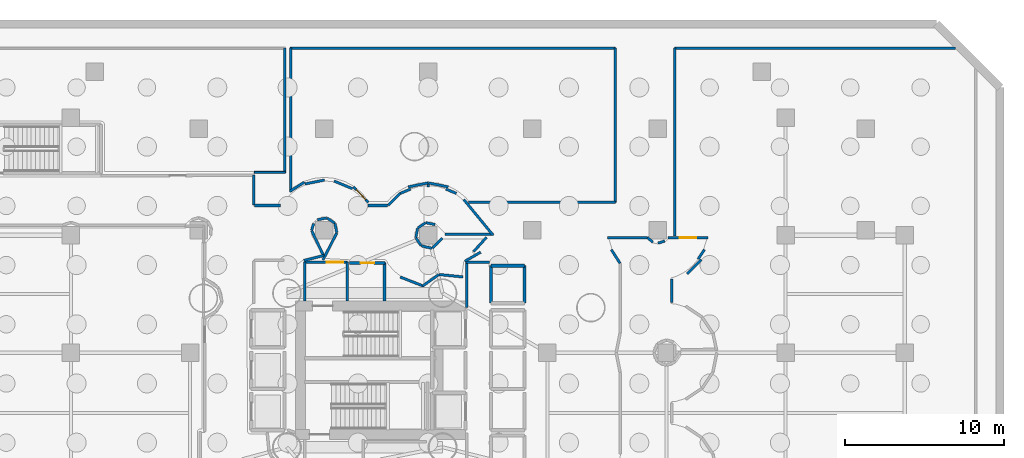
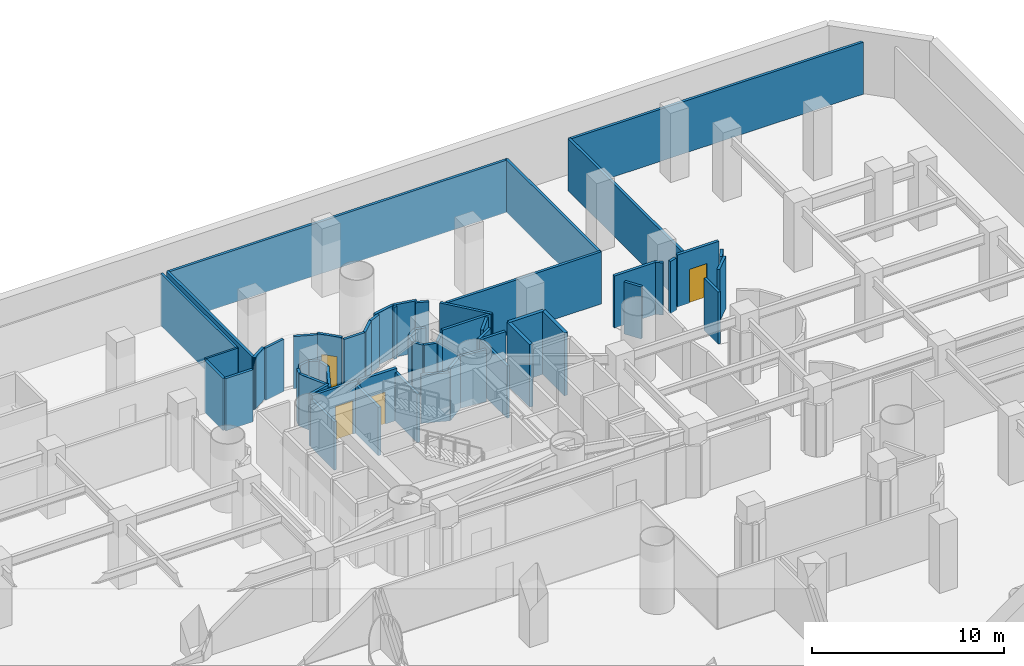
# One storey, part 6 of 13: 59 walls, 4 doors, 4 openings.
"""IFC4 building model written with IfcOpenShell, lengths in metres."""

from ifc_helpers import new_model, si_unit, direction, frame, frame_2d, origin, place, context, subcontext, project, spatial, rectangle, extrude, material, layer, layer_set, type_object, element, fill, save


model = new_model("IFC4")

# Units and contexts
model_context = context("Model", 3, precision=1e-05, world=origin(), true_north=direction((0.0, 1.0)))
body_context = subcontext(model_context, "Body", "Model", "MODEL_VIEW")
ifc_project = project(units=[si_unit("LENGTHUNIT", "METRE"), si_unit("AREAUNIT", "SQUARE_METRE"), si_unit("VOLUMEUNIT", "CUBIC_METRE"), si_unit("PLANEANGLEUNIT", "RADIAN"), si_unit("MASSUNIT", "GRAM", prefix="KILO")], contexts=[model_context])

# Site, building, storey
site_placement = place(None, origin())
site = spatial("IfcSite", under=ifc_project, at=site_placement, CompositionType="ELEMENT")
building_placement = place(site_placement, origin())
building = spatial("IfcBuilding", under=site, at=building_placement, Name="Qianvela Tower", CompositionType="ELEMENT")
storey_placement = place(building_placement, frame((0.0, 0.0, -10.0)))
storey = spatial("IfcBuildingStorey", under=building, at=storey_placement, Name="B02", CompositionType="ELEMENT", Elevation=-10.0)

# Wall
ifc_material_1 = material(Name="Fire-Rated Gypsum and Concrete Block", Category="concrete")
ifc_layer_1 = layer(ifc_material_1, 0.159912109375)
ifc_layer_set_1 = layer_set([ifc_layer_1], Name="Fire-Rated Gypsum and Concrete Block")
wall_type_1 = type_object("IfcWallType", Name="WT-CORR-160", PredefinedType="PARTITIONING", material=ifc_layer_set_1)
wall_1_placement = place(storey_placement, frame((29.73095703125, 33.05810546875, 0.0), z_axis=(0.0, 0.0, 1.0), x_axis=(0.0, 1.0, 0.0)))
element("IfcWall", 1, at=wall_1_placement, inside=storey, type_object=wall_type_1, Name="B02 Partition 2", PredefinedType="PARTITIONING", context=body_context, shape_type="SweptSolid", body=[
    extrude(rectangle(XDim=2.4619140625, YDim=0.159912109375, at=frame_2d((1.23095703125, 0.0))), origin(), (0.0, 0.0, 1.0), 3.077880859375),
])

# Wall, opening, door
wall_2_placement = place(storey_placement, frame((29.699951171875, 35.489013671875, 0.0), z_axis=(0.0, 0.0, 1.0), x_axis=(1.0, 0.0, 0.0)))
wall_2 = element("IfcWall", 2, at=wall_2_placement, inside=storey, type_object=wall_type_1, Name="B02 Partition 3", PredefinedType="PARTITIONING", context=body_context, shape_type="SweptSolid", body=[
    extrude(rectangle(XDim=2.719970703125, YDim=0.159912109375, at=frame_2d((1.35986328125, 0.0))), origin(), (0.0, 0.0, 1.0), 3.320068359375),
])
opening_1_placement = place(wall_2_placement, frame((1.39501953125, 0.0, 0.0)))
opening_1 = element("IfcOpeningElement", 3, at=opening_1_placement, cuts=wall_2, Name="Opening D-PL1", PredefinedType="OPENING", context=body_context, shape_type="SweptSolid", body=[
    extrude(rectangle(XDim=1.050048828125, YDim=2.14990234375, at=frame_2d((0.52490234375, 1.074951171875))), frame((0.0, 0.08984375, 0.0), z_axis=(0.0, -1.0, 0.0), x_axis=(1.0, 0.0, 0.0)), (0.0, 0.0, 1.0), 0.179931640625),
])
ifc_material_2 = material(Name="Insulated Steel Fire Door Q355B", Category="steel")
door_type_1 = type_object("IfcDoorType", Name="DT-PLANT-FD90", OperationType="NOTDEFINED", PredefinedType="DOOR", material=ifc_material_2)
door_1_placement = place(opening_1_placement, origin())
door_1 = element("IfcDoor", 4, at=door_1_placement, inside=storey, type_object=door_type_1, Name="B02 Door B02 Firefighting Lobby North to B02 Plant and Bicycle Corridor", OperationType="SINGLE_SWING_LEFT", OverallHeight=2.14990234375, OverallWidth=1.050048828125, PredefinedType="DOOR", context=body_context, shape_type="SweptSolid", body=[
    extrude(rectangle(XDim=1.050048828125, YDim=2.14990234375, at=frame_2d((0.52490234375, 1.074951171875))), frame((0.0, 0.02490234375, 0.0), z_axis=(0.0, -1.0, 0.0), x_axis=(1.0, 0.0, 0.0)), (0.0, 0.0, 1.0), 0.050048828125),
])
fill(opening_1, door_1)

# Walls
wall_3_placement = place(storey_placement, frame((32.388916015625, 35.52001953125, 0.0), z_axis=(0.0, 0.0, 1.0), x_axis=(0.0, -1.0, 0.0)))
element("IfcWall", 5, at=wall_3_placement, inside=storey, type_object=wall_type_1, Name="B02 Partition 4", PredefinedType="PARTITIONING", context=body_context, shape_type="SweptSolid", body=[
    extrude(rectangle(XDim=2.4619140625, YDim=0.159912109375, at=frame_2d((1.23095703125, 0.0))), origin(), (0.0, 0.0, 1.0), 3.077880859375),
])
wall_4_placement = place(storey_placement, frame((39.910888671875, 32.639892578125, 0.0), z_axis=(0.0, 0.0, 1.0), x_axis=(0.0, 1.0, 0.0)))
element("IfcWall", 6, at=wall_4_placement, inside=storey, type_object=wall_type_1, Name="B02 Partition 14", PredefinedType="PARTITIONING", context=body_context, shape_type="SweptSolid", body=[
    extrude(rectangle(XDim=2.880126953125, YDim=0.159912109375, at=frame_2d((1.43994140625, 0.0))), origin(), (0.0, 0.0, 1.0), 3.320068359375),
])
wall_5_placement = place(storey_placement, frame((39.8798828125, 35.489013671875, 0.0), z_axis=(0.0, 0.0, 1.0), x_axis=(1.0, 0.0, 0.0)))
element("IfcWall", 7, at=wall_5_placement, inside=storey, type_object=wall_type_1, Name="B02 Partition 15", PredefinedType="PARTITIONING", context=body_context, shape_type="SweptSolid", body=[
    extrude(rectangle(XDim=1.480224609375, YDim=0.159912109375, at=frame_2d((0.740234375, 0.0))), origin(), (0.0, 0.0, 1.0), 3.320068359375),
])
wall_6_placement = place(storey_placement, frame((26.51904296875, 41.0, 0.0), z_axis=(0.0, 0.0, 1.0), x_axis=(0.0, -1.0, 0.0)))
element("IfcWall", 8, at=wall_6_placement, inside=storey, type_object=wall_type_1, Name="B02 Partition 38", PredefinedType="PARTITIONING", context=body_context, shape_type="SweptSolid", body=[
    extrude(rectangle(XDim=1.89990234375, YDim=0.159912109375, at=frame_2d((0.949951171875, 0.0))), origin(), (0.0, 0.0, 1.0), 3.320068359375),
])
wall_7_placement = place(storey_placement, frame((26.550048828125, 39.069091796875, 0.0), z_axis=(0.0, 0.0, 1.0), x_axis=(1.0, 0.0, 0.0)))
element("IfcWall", 9, at=wall_7_placement, inside=storey, type_object=wall_type_1, Name="B02 Partition 39", PredefinedType="PARTITIONING", context=body_context, shape_type="SweptSolid", body=[
    extrude(rectangle(XDim=1.649658203125, YDim=0.159912109375, at=frame_2d((0.82470703125, 0.0))), origin(), (0.0, 0.0, 1.0), 3.320068359375),
])
for number, where, z_axis, x_axis, name in (
    (10, (29.73681640625, 40.426025390625, 0.0), (0.0, 0.0, 1.0), (0.980775717779, 0.195138390419, 0.0), "B02 Partition 41"),
    (11, (31.56787109375, 40.60986328125, 0.0), (0.0, 0.0, 1.0), (0.923890529664, -0.38265688181, 0.0), "B02 Partition 42"),
):
    element("IfcWall", number, at=place(storey_placement, frame(where, z_axis=z_axis, x_axis=x_axis)), inside=storey, type_object=wall_type_1, Name=name, PredefinedType="PARTITIONING", context=body_context, shape_type="SweptSolid", body=[
        extrude(rectangle(XDim=1.24853515625, YDim=0.159912109375, at=frame_2d((0.624267578125, 0.0))), origin(), (0.0, 0.0, 1.0), 3.320068359375),
    ])
wall_8_placement = place(storey_placement, frame((33.711181640625, 39.069091796875, 0.0), z_axis=(0.0, 0.0, 1.0), x_axis=(1.0, 0.0, 0.0)))
element("IfcWall", 12, at=wall_8_placement, inside=storey, type_object=wall_type_1, Name="B02 Partition 44", PredefinedType="PARTITIONING", context=body_context, shape_type="SweptSolid", body=[
    extrude(rectangle(XDim=1.228515625, YDim=0.159912109375, at=frame_2d((0.6142578125, 0.0))), origin(), (0.0, 0.0, 1.0), 3.320068359375),
])
wall_9_placement = place(storey_placement, frame((34.961181640625, 39.077880859375, 0.0), z_axis=(0.0, 0.0, 1.0), x_axis=(0.717212292906, 0.69685473874, 0.0)))
element("IfcWall", 13, at=wall_9_placement, inside=storey, type_object=wall_type_1, Name="B02 Partition 45", PredefinedType="PARTITIONING", context=body_context, shape_type="SweptSolid", body=[
    extrude(rectangle(XDim=1.09130859375, YDim=0.159912109375, at=frame_2d((0.545654296875, 0.0))), origin(), (0.0, 0.0, 1.0), 3.320068359375),
])
wall_10_placement = place(storey_placement, frame((35.73388671875, 39.83203125, 0.0), z_axis=(0.0, 0.0, 1.0), x_axis=(0.923810617216, 0.382849766253, 0.0)))
element("IfcWall", 14, at=wall_10_placement, inside=storey, type_object=wall_type_1, Name="B02 Partition 46", PredefinedType="PARTITIONING", context=body_context, shape_type="SweptSolid", body=[
    extrude(rectangle(XDim=0.707275390625, YDim=0.159912109375, at=frame_2d((0.353515625, 0.0))), origin(), (0.0, 0.0, 1.0), 3.320068359375),
])
wall_11_placement = place(storey_placement, frame((37.410888671875, 40.3076171875, 0.0), z_axis=(0.0, 0.0, 1.0), x_axis=(1.0, 0.0, 0.0)))
element("IfcWall", 15, at=wall_11_placement, inside=storey, type_object=wall_type_1, Name="B02 Partition 47", PredefinedType="PARTITIONING", context=body_context, shape_type="SweptSolid", body=[
    extrude(rectangle(XDim=0.17822265625, YDim=0.159912109375, at=frame_2d((0.089111328125, 0.0))), origin(), (0.0, 0.0, 1.0), 3.320068359375),
])
wall_12_placement = place(storey_placement, frame((38.61279296875, 40.102783203125, 0.0), z_axis=(0.0, 0.0, 1.0), x_axis=(0.923810617216, -0.382849766253, 0.0)))
element("IfcWall", 16, at=wall_12_placement, inside=storey, type_object=wall_type_1, Name="B02 Partition 48", PredefinedType="PARTITIONING", context=body_context, shape_type="SweptSolid", body=[
    extrude(rectangle(XDim=0.707275390625, YDim=0.159912109375, at=frame_2d((0.353515625, 0.0))), origin(), (0.0, 0.0, 1.0), 3.320068359375),
])
wall_13_placement = place(storey_placement, frame((39.73876953125, 39.443115234375, 0.0), z_axis=(0.0, 0.0, 1.0), x_axis=(0.634417418508, -0.772990646188, 0.0)))
element("IfcWall", 17, at=wall_13_placement, inside=storey, type_object=wall_type_1, Name="B02 Partition 49", PredefinedType="PARTITIONING", context=body_context, shape_type="SweptSolid", body=[
    extrude(rectangle(XDim=2.894775390625, YDim=0.159912109375, at=frame_2d((1.447265625, 0.0))), origin(), (0.0, 0.0, 1.0), 3.320068359375),
])
wall_14_placement = place(storey_placement, frame((41.59912109375, 37.256103515625, 0.0), z_axis=(0.0, 0.0, 1.0), x_axis=(-0.999996924322, -0.002480190788, 0.0)))
element("IfcWall", 18, at=wall_14_placement, inside=storey, type_object=wall_type_1, Name="B02 Partition 50", PredefinedType="PARTITIONING", context=body_context, shape_type="SweptSolid", body=[
    extrude(rectangle(XDim=3.051513671875, YDim=0.159912109375, at=frame_2d((1.52587890625, 0.0))), origin(), (0.0, 0.0, 1.0), 3.320068359375),
])
for number, where, z_axis, x_axis, name in (
    (19, (37.933837890625, 37.87060546875, 0.0), (0.0, 0.0, 1.0), (-0.980787220882, 0.195080566316, 0.0), "B02 Partition 52"),
    (20, (37.33251953125, 37.98095703125, 0.0), (0.0, 0.0, 1.0), (-0.831476219755, -0.555560344141, 0.0), "B02 Partition 53"),
):
    element("IfcWall", number, at=place(storey_placement, frame(where, z_axis=z_axis, x_axis=x_axis)), inside=storey, type_object=wall_type_1, Name=name, PredefinedType="PARTITIONING", context=body_context, shape_type="SweptSolid", body=[
        extrude(rectangle(XDim=0.58935546875, YDim=0.159912109375, at=frame_2d((0.294677734375, 0.0))), origin(), (0.0, 0.0, 1.0), 3.320068359375),
    ])
wall_15_placement = place(storey_placement, frame((36.829345703125, 37.6337890625, 0.0), z_axis=(0.0, 0.0, 1.0), x_axis=(-0.195159844715, -0.980771448917, 0.0)))
element("IfcWall", 21, at=wall_15_placement, inside=storey, type_object=wall_type_1, Name="B02 Partition 54", PredefinedType="PARTITIONING", context=body_context, shape_type="SweptSolid", body=[
    extrude(rectangle(XDim=0.589111328125, YDim=0.159912109375, at=frame_2d((0.29443359375, 0.0))), origin(), (0.0, 0.0, 1.0), 3.320068359375),
])
wall_16_placement = place(storey_placement, frame((36.718994140625, 37.03271484375, 0.0), z_axis=(0.0, 0.0, 1.0), x_axis=(0.555369021078, -0.831604022613, 0.0)))
element("IfcWall", 22, at=wall_16_placement, inside=storey, type_object=wall_type_1, Name="B02 Partition 55", PredefinedType="PARTITIONING", context=body_context, shape_type="SweptSolid", body=[
    extrude(rectangle(XDim=0.589599609375, YDim=0.159912109375, at=frame_2d((0.294921875, 0.0))), origin(), (0.0, 0.0, 1.0), 3.320068359375),
])
wall_17_placement = place(storey_placement, frame((37.065185546875, 36.529541015625, 0.0), z_axis=(0.0, 0.0, 1.0), x_axis=(0.974571578147, -0.224076413457, 0.0)))
element("IfcWall", 23, at=wall_17_placement, inside=storey, type_object=wall_type_1, Name="B02 Partition 56", PredefinedType="PARTITIONING", context=body_context, shape_type="SweptSolid", body=[
    extrude(rectangle(XDim=0.68310546875, YDim=0.159912109375, at=frame_2d((0.341552734375, 0.0))), origin(), (0.0, 0.0, 1.0), 3.320068359375),
])
wall_18_placement = place(storey_placement, frame((37.760009765625, 36.384765625, 0.0), z_axis=(0.0, 0.0, 1.0), x_axis=(0.700866130058, 0.713292834492, 0.0)))
element("IfcWall", 24, at=wall_18_placement, inside=storey, type_object=wall_type_1, Name="B02 Partition 57", PredefinedType="PARTITIONING", context=body_context, shape_type="SweptSolid", body=[
    extrude(rectangle(XDim=0.884033203125, YDim=0.159912109375, at=frame_2d((0.44189453125, 0.0))), origin(), (0.0, 0.0, 1.0), 3.320068359375),
])
wall_19_placement = place(storey_placement, frame((41.16650390625, 37.06494140625, 0.0), z_axis=(0.0, 0.0, 1.0), x_axis=(-0.671477917818, -0.741024564966, 0.0)))
element("IfcWall", 25, at=wall_19_placement, inside=storey, type_object=wall_type_1, Name="B02 Partition 59", PredefinedType="PARTITIONING", context=body_context, shape_type="SweptSolid", body=[
    extrude(rectangle(XDim=1.211181640625, YDim=0.159912109375, at=frame_2d((0.60546875, 0.0))), origin(), (0.0, 0.0, 1.0), 3.320068359375),
])
wall_20_placement = place(storey_placement, frame((40.797607421875, 36.130615234375, 0.0), z_axis=(0.0, 0.0, 1.0), x_axis=(-0.866890199367, -0.498499129629, 0.0)))
element("IfcWall", 26, at=wall_20_placement, inside=storey, type_object=wall_type_1, Name="B02 Partition 60", PredefinedType="PARTITIONING", context=body_context, shape_type="SweptSolid", body=[
    extrude(rectangle(XDim=1.146484375, YDim=0.159912109375, at=frame_2d((0.5732421875, 0.0))), origin(), (0.0, 0.0, 1.0), 3.320068359375),
])
wall_21_placement = place(storey_placement, frame((39.67578125, 34.575439453125, 0.0), z_axis=(0.0, 0.0, 1.0), x_axis=(-0.995186799139, 0.097996095944, 0.0)))
element("IfcWall", 27, at=wall_21_placement, inside=storey, type_object=wall_type_1, Name="B02 Partition 62", PredefinedType="PARTITIONING", context=body_context, shape_type="SweptSolid", body=[
    extrude(rectangle(XDim=1.50732421875, YDim=0.159912109375, at=frame_2d((0.753662109375, 0.0))), origin(), (0.0, 0.0, 1.0), 3.320068359375),
])
wall_22_placement = place(storey_placement, frame((38.15478515625, 34.7177734375, 0.0), z_axis=(0.0, 0.0, 1.0), x_axis=(-0.815749774427, -0.578404966717, 0.0)))
element("IfcWall", 28, at=wall_22_placement, inside=storey, type_object=wall_type_1, Name="B02 Partition 63", PredefinedType="PARTITIONING", context=body_context, shape_type="SweptSolid", body=[
    extrude(rectangle(XDim=1.240478515625, YDim=0.159912109375, at=frame_2d((0.6201171875, 0.0))), origin(), (0.0, 0.0, 1.0), 3.320068359375),
])
wall_23_placement = place(storey_placement, frame((37.172119140625, 34.00390625, 0.0), z_axis=(0.0, 0.0, 1.0), x_axis=(-0.930972145639, 0.36509021357, 0.0)))
element("IfcWall", 29, at=wall_23_placement, inside=storey, type_object=wall_type_1, Name="B02 Partition 64", PredefinedType="PARTITIONING", context=body_context, shape_type="SweptSolid", body=[
    extrude(rectangle(XDim=1.54541015625, YDim=0.159912109375, at=frame_2d((0.772705078125, 0.0))), origin(), (0.0, 0.0, 1.0), 3.077880859375),
])
wall_24_placement = place(storey_placement, frame((30.8681640625, 35.6455078125, 0.0), z_axis=(0.0, 0.0, 1.0), x_axis=(0.457713605207, 0.889099688229, 0.0)))
element("IfcWall", 30, at=wall_24_placement, inside=storey, type_object=wall_type_1, Name="B02 Partition 68", PredefinedType="PARTITIONING", context=body_context, shape_type="SweptSolid", body=[
    extrude(rectangle(XDim=1.901123046875, YDim=0.159912109375, at=frame_2d((0.95068359375, 0.0))), origin(), (0.0, 0.0, 1.0), 3.320068359375),
])
for number, where, z_axis, x_axis, name in (
    (31, (31.740966796875, 37.355712890625, 0.0), (0.0, 0.0, 1.0), (-0.195080566316, 0.980787220882, 0.0), "B02 Partition 69"),
    (32, (31.61279296875, 37.95361328125, 0.0), (0.0, 0.0, 1.0), (-0.831476219755, 0.555560344141, 0.0), "B02 Partition 70"),
    (33, (31.099609375, 38.28564453125, 0.0), (0.0, 0.0, 1.0), (-0.980787220882, -0.195080566316, 0.0), "B02 Partition 71"),
):
    element("IfcWall", number, at=place(storey_placement, frame(where, z_axis=z_axis, x_axis=x_axis)), inside=storey, type_object=wall_type_1, Name=name, PredefinedType="PARTITIONING", context=body_context, shape_type="SweptSolid", body=[
        extrude(rectangle(XDim=0.58935546875, YDim=0.159912109375, at=frame_2d((0.294677734375, 0.0))), origin(), (0.0, 0.0, 1.0), 3.320068359375),
    ])
wall_25_placement = place(storey_placement, frame((30.285400390625, 37.936767578125, 0.0), z_axis=(0.0, 0.0, 1.0), x_axis=(-0.290052876583, -0.957010621041, 0.0)))
element("IfcWall", 34, at=wall_25_placement, inside=storey, type_object=wall_type_1, Name="B02 Partition 72", PredefinedType="PARTITIONING", context=body_context, shape_type="SweptSolid", body=[
    extrude(rectangle(XDim=0.447021484375, YDim=0.159912109375, at=frame_2d((0.2236328125, 0.0))), origin(), (0.0, 0.0, 1.0), 3.320068359375),
])
wall_26_placement = place(storey_placement, frame((30.157470703125, 37.48681640625, 0.0), z_axis=(0.0, 0.0, 1.0), x_axis=(0.427353044203, -0.904084827663, 0.0)))
element("IfcWall", 35, at=wall_26_placement, inside=storey, type_object=wall_type_1, Name="B02 Partition 73", PredefinedType="PARTITIONING", context=body_context, shape_type="SweptSolid", body=[
    extrude(rectangle(XDim=1.77490234375, YDim=0.159912109375, at=frame_2d((0.887451171875, 0.0))), origin(), (0.0, 0.0, 1.0), 3.320068359375),
])
wall_27_placement = place(storey_placement, frame((30.9365234375, 35.925537109375, 0.0), z_axis=(0.0, 0.0, 1.0), x_axis=(-0.969933389944, -0.243370538628, 0.0)))
element("IfcWall", 36, at=wall_27_placement, inside=storey, type_object=wall_type_1, Name="B02 Partition 74", PredefinedType="PARTITIONING", context=body_context, shape_type="SweptSolid", body=[
    extrude(rectangle(XDim=1.30712890625, YDim=0.159912109375, at=frame_2d((0.653564453125, 0.0))), origin(), (0.0, 0.0, 1.0), 3.320068359375),
])
wall_28_placement = place(storey_placement, frame((49.576171875, 35.427734375, 0.0), z_axis=(0.0, 0.0, 1.0), x_axis=(-0.53759967865, 0.843200204883, 0.0)))
element("IfcWall", 37, at=wall_28_placement, inside=storey, type_object=wall_type_1, Name="B02 Partition 97", PredefinedType="PARTITIONING", context=body_context, shape_type="SweptSolid", body=[
    extrude(rectangle(XDim=1.02490234375, YDim=0.159912109375, at=frame_2d((0.512451171875, 0.0))), origin(), (0.0, 0.0, 1.0), 3.320068359375),
])
wall_29_placement = place(storey_placement, frame((48.798583984375, 37.031982421875, 0.0), z_axis=(0.0, 0.0, 1.0), x_axis=(0.999996824532, 0.002520104433, 0.0)))
element("IfcWall", 38, at=wall_29_placement, inside=storey, type_object=wall_type_1, Name="B02 Partition 99", PredefinedType="PARTITIONING", context=body_context, shape_type="SweptSolid", body=[
    extrude(rectangle(XDim=2.518798828125, YDim=0.159912109375, at=frame_2d((1.25927734375, 0.0))), origin(), (0.0, 0.0, 1.0), 3.320068359375),
])
wall_30_placement = place(storey_placement, frame((51.2978515625, 37.04541015625, 0.0), z_axis=(0.0, 0.0, 1.0), x_axis=(0.774055405467, -0.633117863646, 0.0)))
element("IfcWall", 39, at=wall_30_placement, inside=storey, type_object=wall_type_1, Name="B02 Partition 100", PredefinedType="PARTITIONING", context=body_context, shape_type="SweptSolid", body=[
    extrude(rectangle(XDim=0.443359375, YDim=0.159912109375, at=frame_2d((0.2216796875, 0.0))), origin(), (0.0, 0.0, 1.0), 3.320068359375),
])
wall_31_placement = place(storey_placement, frame((51.96435546875, 36.7001953125, 0.0), z_axis=(0.0, 0.0, 1.0), x_axis=(0.956858887343, 0.290553041134, 0.0)))
element("IfcWall", 40, at=wall_31_placement, inside=storey, type_object=wall_type_1, Name="B02 Partition 101", PredefinedType="PARTITIONING", context=body_context, shape_type="SweptSolid", body=[
    extrude(rectangle(XDim=0.447021484375, YDim=0.159912109375, at=frame_2d((0.2236328125, 0.0))), origin(), (0.0, 0.0, 1.0), 3.320068359375),
])

# Wall, opening, door
wall_32_placement = place(storey_placement, frame((52.595947265625, 37.04150390625, 0.0), z_axis=(0.0, 0.0, 1.0), x_axis=(0.999996822684, 0.002520837443, 0.0)))
wall_32 = element("IfcWall", 41, at=wall_32_placement, inside=storey, type_object=wall_type_1, Name="B02 Partition 102", PredefinedType="PARTITIONING", context=body_context, shape_type="SweptSolid", body=[
    extrude(rectangle(XDim=2.51806640625, YDim=0.159912109375, at=frame_2d((1.259033203125, 0.0))), origin(), (0.0, 0.0, 1.0), 3.320068359375),
])
opening_2_placement = place(wall_32_placement, frame((0.734130859375, 0.0, 0.0)))
opening_2 = element("IfcOpeningElement", 42, at=opening_2_placement, cuts=wall_32, Name="Opening D-PL1", PredefinedType="OPENING", context=body_context, shape_type="SweptSolid", body=[
    extrude(rectangle(XDim=1.050048828125, YDim=2.14990234375, at=frame_2d((0.52490234375, 1.074951171875))), frame((0.0, 0.08984375, 0.0), z_axis=(0.0, -1.0, 0.0), x_axis=(1.0, 0.0, 0.0)), (0.0, 0.0, 1.0), 0.179931640625),
])
door_2_placement = place(opening_2_placement, origin())
door_2 = element("IfcDoor", 43, at=door_2_placement, inside=storey, type_object=door_type_1, Name="B02 Door B02 Central Chiller and Heat Pump Plant Room to B02 Plant and Bicycle Corridor", OperationType="SINGLE_SWING_RIGHT", OverallHeight=2.14990234375, OverallWidth=1.050048828125, PredefinedType="DOOR", context=body_context, shape_type="SweptSolid", body=[
    extrude(rectangle(XDim=1.050048828125, YDim=2.14990234375, at=frame_2d((0.52490234375, 1.074951171875))), frame((0.0, 0.02490234375, 0.0), z_axis=(0.0, -1.0, 0.0), x_axis=(1.0, 0.0, 0.0)), (0.0, 0.0, 1.0), 0.050048828125),
])
fill(opening_2, door_2)

# Walls
wall_33_placement = place(storey_placement, frame((54.885986328125, 36.29248046875, 0.0), z_axis=(0.0, 0.0, 1.0), x_axis=(-0.555719448407, -0.831369890399, 0.0)))
element("IfcWall", 44, at=wall_33_placement, inside=storey, type_object=wall_type_1, Name="B02 Partition 104", PredefinedType="PARTITIONING", context=body_context, shape_type="SweptSolid", body=[
    extrude(rectangle(XDim=0.71826171875, YDim=0.159912109375, at=frame_2d((0.359130859375, 0.0))), origin(), (0.0, 0.0, 1.0), 3.320068359375),
])
wall_34_placement = place(storey_placement, frame((52.819091796875, 34.443603515625, 0.0), z_axis=(0.0, 0.0, 1.0), x_axis=(0.0, -1.0, 0.0)))
element("IfcWall", 45, at=wall_34_placement, inside=storey, type_object=wall_type_1, Name="B02 Partition 106", PredefinedType="PARTITIONING", context=body_context, shape_type="SweptSolid", body=[
    extrude(rectangle(XDim=1.47802734375, YDim=0.159912109375, at=frame_2d((0.739013671875, 0.0))), origin(), (0.0, 0.0, 1.0), 3.320068359375),
])
wall_35_placement = place(storey_placement, frame((53.79443359375, 34.76953125, 0.0), z_axis=(0.0, 0.0, 1.0), x_axis=(0.707106781187, 0.707106781187, 0.0)))
element("IfcWall", 46, at=wall_35_placement, inside=storey, type_object=wall_type_1, Name="B02 Partition 223", PredefinedType="PARTITIONING", context=body_context, shape_type="SweptSolid", body=[
    extrude(rectangle(XDim=1.260498046875, YDim=0.159912109375, at=frame_2d((0.63037109375, 0.0))), origin(), (0.0, 0.0, 1.0), 3.320068359375),
])
wall_36_placement = place(storey_placement, frame((53.031005859375, 37.135498046875, 0.0), z_axis=(0.0, 0.0, 1.0), x_axis=(0.0, 1.0, 0.0)))
element("IfcWall", 47, at=wall_36_placement, inside=storey, type_object=wall_type_1, Name="B02 Partition 225", PredefinedType="PARTITIONING", context=body_context, shape_type="SweptSolid", body=[
    extrude(rectangle(XDim=11.864501953125, YDim=0.159912109375, at=frame_2d((5.93212890625, 0.0))), origin(), (0.0, 0.0, 1.0), 3.320068359375),
])
wall_37_placement = place(storey_placement, frame((53.0, 48.968994140625, 0.0), z_axis=(0.0, 0.0, 1.0), x_axis=(1.0, 0.0, 0.0)))
element("IfcWall", 48, at=wall_37_placement, inside=storey, type_object=wall_type_1, Name="B02 Partition 226", PredefinedType="PARTITIONING", context=body_context, shape_type="SweptSolid", body=[
    extrude(rectangle(XDim=17.6943359375, YDim=0.159912109375, at=frame_2d((8.84716796875, 0.0))), origin(), (0.0, 0.0, 1.0), 3.320068359375),
])
wall_38_placement = place(storey_placement, frame((49.300048828125, 39.281005859375, 0.0), z_axis=(0.0, 0.0, 1.0), x_axis=(-1.0, 0.0, 0.0)))
element("IfcWall", 49, at=wall_38_placement, inside=storey, type_object=wall_type_1, Name="B02 Partition 272", PredefinedType="PARTITIONING", context=body_context, shape_type="SweptSolid", body=[
    extrude(rectangle(XDim=9.282470703125, YDim=0.159912109375, at=frame_2d((4.64111328125, 0.0))), origin(), (0.0, 0.0, 1.0), 3.320068359375),
])
for number, where, z_axis, x_axis, name in (
    (50, (38.760009765625, 40.241455078125, 0.0), (0.0, 0.0, 1.0), (-0.9805512928, 0.196262992406, 0.0), "B02 Partition 273"),
    (51, (37.493896484375, 40.492431640625, 0.0), (0.0, 0.0, 1.0), (-0.9805512928, -0.196262992406, 0.0), "B02 Partition 274"),
):
    element("IfcWall", number, at=place(storey_placement, frame(where, z_axis=z_axis, x_axis=x_axis)), inside=storey, type_object=wall_type_1, Name=name, PredefinedType="PARTITIONING", context=body_context, shape_type="SweptSolid", body=[
        extrude(rectangle(XDim=1.27880859375, YDim=0.159912109375, at=frame_2d((0.639404296875, 0.0))), origin(), (0.0, 0.0, 1.0), 3.320068359375),
    ])

# Wall, opening, door
wall_39_placement = place(storey_placement, frame((33.723388671875, 39.271484375, 0.0), z_axis=(0.0, 0.0, 1.0), x_axis=(-0.697065448929, 0.717007503385, 0.0)))
wall_39 = element("IfcWall", 52, at=wall_39_placement, inside=storey, type_object=wall_type_1, Name="B02 Partition 276", PredefinedType="PARTITIONING", context=body_context, shape_type="SweptSolid", body=[
    extrude(rectangle(XDim=1.3466796875, YDim=0.159912109375, at=frame_2d((0.67333984375, 0.0))), origin(), (0.0, 0.0, 1.0), 3.320068359375),
])
opening_3_placement = place(wall_39_placement, frame((0.243408203125, 0.0, 0.0)))
opening_3 = element("IfcOpeningElement", 53, at=opening_3_placement, cuts=wall_39, Name="Opening D-LB2", PredefinedType="OPENING", context=body_context, shape_type="SweptSolid", body=[
    extrude(rectangle(XDim=0.860107421875, YDim=2.050048828125, at=frame_2d((0.43017578125, 1.02490234375))), frame((0.0, 0.08984375, 0.0), z_axis=(0.0, -1.0, 0.0), x_axis=(1.0, 0.0, 0.0)), (0.0, 0.0, 1.0), 0.179931640625),
])
ifc_material_3 = material(Name="Insulated Steel Fire Door Q355B", Category="steel")
door_type_2 = type_object("IfcDoorType", Name="DT-LOBBY-FD90-860", OperationType="NOTDEFINED", PredefinedType="DOOR", material=ifc_material_3)
door_3_placement = place(opening_3_placement, origin())
door_3 = element("IfcDoor", 54, at=door_3_placement, inside=storey, type_object=door_type_2, Name="B02 Door B02 Greywater Treatment and Booster Pump Room to B02 Plant and Bicycle Corridor", OperationType="SINGLE_SWING_RIGHT", OverallHeight=2.050048828125, OverallWidth=0.860107421875, PredefinedType="DOOR", context=body_context, shape_type="SweptSolid", body=[
    extrude(rectangle(XDim=0.860107421875, YDim=2.050048828125, at=frame_2d((0.43017578125, 1.02490234375))), frame((0.0, 0.02490234375, 0.0), z_axis=(0.0, -1.0, 0.0), x_axis=(1.0, 0.0, 0.0)), (0.0, 0.0, 1.0), 0.050048828125),
])
fill(opening_3, door_3)

# Walls
wall_40_placement = place(storey_placement, frame((29.690185546875, 40.539794921875, 0.0), z_axis=(0.0, 0.0, 1.0), x_axis=(-0.841303537966, -0.540563000034, 0.0)))
element("IfcWall", 55, at=wall_40_placement, inside=storey, type_object=wall_type_1, Name="B02 Partition 279", PredefinedType="PARTITIONING", context=body_context, shape_type="SweptSolid", body=[
    extrude(rectangle(XDim=1.078125, YDim=0.159912109375, at=frame_2d((0.5390625, 0.0))), origin(), (0.0, 0.0, 1.0), 3.320068359375),
])
wall_41_placement = place(storey_placement, frame((28.8310546875, 39.930908203125, 0.0), z_axis=(0.0, 0.0, 1.0), x_axis=(0.0, 1.0, 0.0)))
element("IfcWall", 56, at=wall_41_placement, inside=storey, type_object=wall_type_1, Name="B02 Partition 280", PredefinedType="PARTITIONING", context=body_context, shape_type="SweptSolid", body=[
    extrude(rectangle(XDim=9.069091796875, YDim=0.159912109375, at=frame_2d((4.53466796875, 0.0))), origin(), (0.0, 0.0, 1.0), 3.320068359375),
])
wall_42_placement = place(storey_placement, frame((28.800048828125, 48.968994140625, 0.0), z_axis=(0.0, 0.0, 1.0), x_axis=(1.0, 0.0, 0.0)))
element("IfcWall", 57, at=wall_42_placement, inside=storey, type_object=wall_type_1, Name="B02 Partition 281", PredefinedType="PARTITIONING", context=body_context, shape_type="SweptSolid", body=[
    extrude(rectangle(XDim=20.5, YDim=0.159912109375, at=frame_2d((10.25, 0.0))), origin(), (0.0, 0.0, 1.0), 3.320068359375),
])
wall_43_placement = place(storey_placement, frame((49.26904296875, 49.0, 0.0), z_axis=(0.0, 0.0, 1.0), x_axis=(0.0, -1.0, 0.0)))
element("IfcWall", 58, at=wall_43_placement, inside=storey, type_object=wall_type_1, Name="B02 Partition 282", PredefinedType="PARTITIONING", context=body_context, shape_type="SweptSolid", body=[
    extrude(rectangle(XDim=9.75, YDim=0.159912109375, at=frame_2d((4.875, 0.0))), origin(), (0.0, 0.0, 1.0), 3.320068359375),
])
ifc_material_4 = material(Name="Insulated Gypsum Stud Partition")
ifc_layer_2 = layer(ifc_material_4, 0.1201171875)
ifc_layer_set_2 = layer_set([ifc_layer_2], Name="Insulated Gypsum Stud Partition")
wall_type_2 = type_object("IfcWallType", Name="WT-PART-120", PredefinedType="PARTITIONING", material=ifc_layer_set_2)
wall_44_placement = place(storey_placement, frame((28.5, 41.15087890625, 0.0), z_axis=(0.0, 0.0, 1.0), x_axis=(-1.0, 0.0, 0.0)))
element("IfcWall", 59, at=wall_44_placement, inside=storey, type_object=wall_type_2, Name="B02 Partition 194 seg 1", PredefinedType="PARTITIONING", context=body_context, shape_type="SweptSolid", body=[
    extrude(rectangle(XDim=1.9501953125, YDim=0.1201171875, at=frame_2d((0.97509765625, 0.0))), origin(), (0.0, 0.0, 1.0), 3.320068359375),
])

# Wall, opening, door
ifc_material_5 = material(Name="Moisture-Resistant Acoustic Plumbing Wall")
ifc_layer_3 = layer(ifc_material_5, 0.175048828125)
ifc_layer_set_3 = layer_set([ifc_layer_3], Name="Moisture-Resistant Acoustic Plumbing Wall")
wall_type_3 = type_object("IfcWallType", Name="WT-PLUMB-175", PredefinedType="PLUMBINGWALL", material=ifc_layer_set_3)
wall_45_placement = place(storey_placement, frame((32.550048828125, 35.448974609375, 0.0), z_axis=(0.0, 0.0, 1.0), x_axis=(1.0, 0.0, 0.0)))
wall_45 = element("IfcWall", 60, at=wall_45_placement, inside=storey, type_object=wall_type_3, Name="B02 Partition 22", PredefinedType="PLUMBINGWALL", context=body_context, shape_type="SweptSolid", body=[
    extrude(rectangle(XDim=2.22998046875, YDim=0.175048828125, at=frame_2d((1.114990234375, 0.0))), origin(), (0.0, 0.0, 1.0), 3.320068359375),
])
opening_4_placement = place(wall_45_placement, frame((0.68505859375, 0.0, 0.0)))
opening_4 = element("IfcOpeningElement", 61, at=opening_4_placement, cuts=wall_45, Name="Opening D-WC1", PredefinedType="OPENING", context=body_context, shape_type="SweptSolid", body=[
    extrude(rectangle(XDim=0.860107421875, YDim=2.050048828125, at=frame_2d((0.43017578125, 1.02490234375))), frame((0.0, 0.097412109375, 0.0), z_axis=(0.0, -1.0, 0.0), x_axis=(1.0, 0.0, 0.0)), (0.0, 0.0, 1.0), 0.195068359375),
])
ifc_material_6 = material(Name="Moisture-Sealed Acoustic Timber Door", Category="wood")
door_type_3 = type_object("IfcDoorType", Name="DT-WC-860", OperationType="NOTDEFINED", PredefinedType="DOOR", material=ifc_material_6)
door_4_placement = place(opening_4_placement, origin())
door_4 = element("IfcDoor", 62, at=door_4_placement, inside=storey, type_object=door_type_3, Name="B02 Door B02 Accessible WC to B02 Plant and Bicycle Corridor", OperationType="SINGLE_SWING_RIGHT", OverallHeight=2.050048828125, OverallWidth=0.860107421875, PredefinedType="DOOR", context=body_context, shape_type="SweptSolid", body=[
    extrude(rectangle(XDim=0.860107421875, YDim=2.050048828125, at=frame_2d((0.43017578125, 1.02490234375))), frame((0.0, 0.02490234375, 0.0), z_axis=(0.0, -1.0, 0.0), x_axis=(1.0, 0.0, 0.0)), (0.0, 0.0, 1.0), 0.050048828125),
])
fill(opening_4, door_4)

# Walls
wall_46_placement = place(storey_placement, frame((34.7490234375, 35.47998046875, 0.0), z_axis=(0.0, 0.0, 1.0), x_axis=(0.0, -1.0, 0.0)))
element("IfcWall", 63, at=wall_46_placement, inside=storey, type_object=wall_type_3, Name="B02 Partition 23", PredefinedType="PLUMBINGWALL", context=body_context, shape_type="SweptSolid", body=[
    extrude(rectangle(XDim=2.421875, YDim=0.175048828125, at=frame_2d((1.2109375, 0.0))), origin(), (0.0, 0.0, 1.0), 3.077880859375),
])
ifc_material_7 = material(Name="Acoustic Double Gypsum Stud Partition")
ifc_layer_4 = layer(ifc_material_7, 0.139892578125)
ifc_layer_set_4 = layer_set([ifc_layer_4], Name="Acoustic Double Gypsum Stud Partition")
wall_type_4 = type_object("IfcWallType", Name="WT-ROOM-140", PredefinedType="PARTITIONING", material=ifc_layer_set_4)
wall_47_placement = place(storey_placement, frame((28.468994140625, 49.0, 0.0), z_axis=(0.0, 0.0, 1.0), x_axis=(0.0, -1.0, 0.0)))
element("IfcWall", 64, at=wall_47_placement, inside=storey, type_object=wall_type_4, Name="B02 Partition 193", PredefinedType="PARTITIONING", context=body_context, shape_type="SweptSolid", body=[
    extrude(rectangle(XDim=7.8798828125, YDim=0.139892578125, at=frame_2d((3.93994140625, 0.0))), origin(), (0.0, 0.0, 1.0), 3.320068359375),
])
ifc_material_8 = material(Name="Concrete C50", Category="concrete")
ifc_layer_5 = layer(ifc_material_8, 0.199951171875)
ifc_layer_set_5 = layer_set([ifc_layer_5], Name="Concrete C50")
wall_type_5 = type_object("IfcWallType", Name="WT-SHAFT-200", PredefinedType="SOLIDWALL", material=ifc_layer_set_5)
for number, where, z_axis, x_axis, name in (
    (65, (43.550048828125, 32.919921875, 0.0), (0.0, 0.0, 1.0), (0.0, 1.0, 0.0), "B02 Lift PL-H3 E Shaft Wall"),
    (66, (41.449951171875, 32.919921875, 0.0), (0.0, 0.0, 1.0), (0.0, 1.0, 0.0), "B02 Lift PL-H3 W Shaft Wall"),
):
    element("IfcWall", number, at=place(storey_placement, frame(where, z_axis=z_axis, x_axis=x_axis)), inside=storey, type_object=wall_type_5, Name=name, PredefinedType="SOLIDWALL", context=body_context, shape_type="SweptSolid", body=[
        extrude(rectangle(XDim=2.360107421875, YDim=0.199951171875, at=frame_2d((1.18017578125, 0.0))), origin(), (0.0, 0.0, 1.0), 4.0),
    ])
wall_48_placement = place(storey_placement, frame((41.449951171875, 35.280029296875, 0.0), z_axis=(0.0, 0.0, 1.0), x_axis=(1.0, 0.0, 0.0)))
element("IfcWall", 67, at=wall_48_placement, inside=storey, type_object=wall_type_5, Name="B02 Lift PL-H3 N Shaft Wall", PredefinedType="SOLIDWALL", context=body_context, shape_type="SweptSolid", body=[
    extrude(rectangle(XDim=2.10009765625, YDim=0.199951171875, at=frame_2d((1.050048828125, 0.0))), origin(), (0.0, 0.0, 1.0), 4.0),
])

save(model, "model.ifc")
